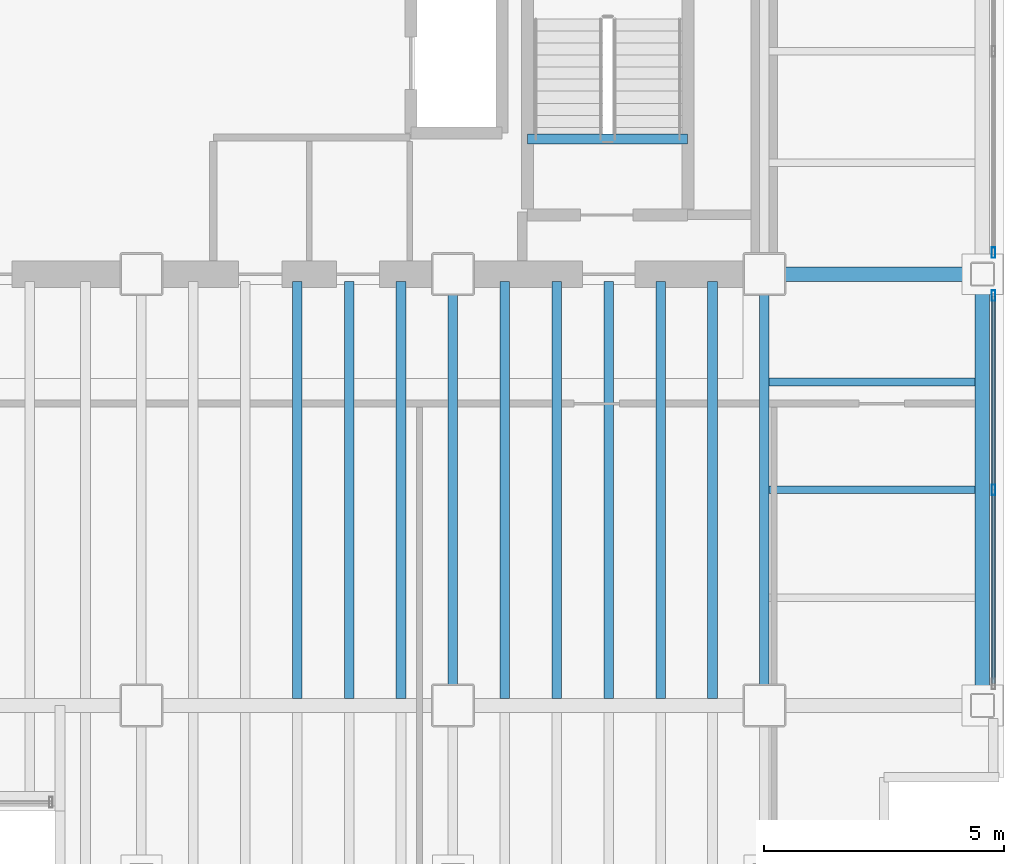
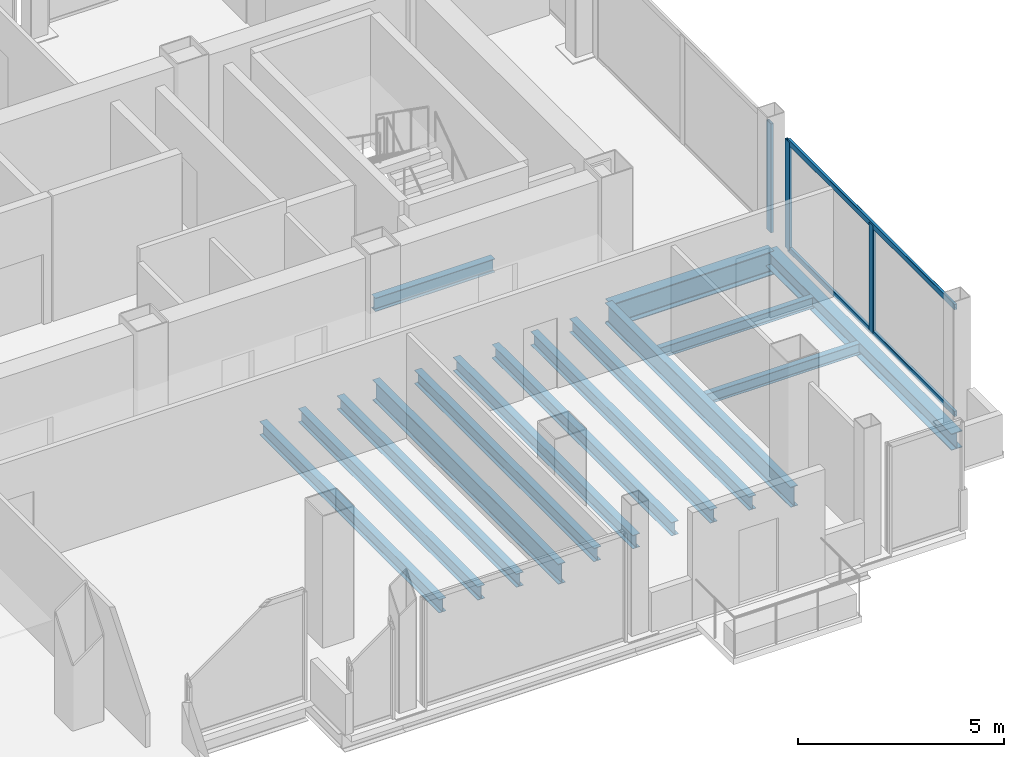
# One storey, part 12 of 19: 15 beams, 5 members, 2 elements without a shape of their own.
"""IFC4 building model written with IfcOpenShell, lengths in metres."""

import ifcopenshell
import ifcopenshell.guid

model = None  # the IFC model being written
_history = None  # IfcOwnerHistory: only IFC2X3 demands one
_inside = {}  # id of a spatial element -> (the spatial element, [elements in it])
_under = {}  # id of a project, library or spatial element -> (it, [spatial elements below it])
_declared = {}  # id of a project -> (the project, [libraries it declares])
_typed = {}  # id of a type object -> (the type object, [elements of that type])
_made_of = {}  # id of a material, layer set ... -> (it, [elements and type objects made of it])


def new_model(schema):
    """Start an empty IFC model of exactly this schema.

    Asked for "IFC4X3", IfcOpenShell would pick the latest addendum, in which some entities
    have other attributes; the version numbers below select the first issue.
    IFC2X3 requires an IfcOwnerHistory on every rooted entity: one is made here for all.
    """
    global model, _history
    if schema == "IFC4X3":
        model = ifcopenshell.file(schema_version=(4, 3, 0, 0))
    else:
        model = ifcopenshell.file(schema=schema)
    _inside.clear()
    _under.clear()
    _declared.clear()
    _typed.clear()
    _made_of.clear()
    _history = None
    if model.schema == "IFC2X3":
        org = make("IfcOrganization", Name="unknown")
        user = make(
            "IfcPersonAndOrganization",
            ThePerson=make("IfcPerson", FamilyName="unknown"),
            TheOrganization=org,
        )
        app = make(
            "IfcApplication",
            ApplicationDeveloper=org,
            Version="unknown",
            ApplicationFullName="unknown",
            ApplicationIdentifier="unknown",
        )
        _history = make(
            "IfcOwnerHistory",
            OwningUser=user,
            OwningApplication=app,
            ChangeAction="ADDED",
            CreationDate=0,
        )
    return model


def make(cls, **values):
    """One entity of the class cls with the attributes given. An attribute that is None is left unset."""
    return model.create_entity(
        cls, **{name: value for name, value in values.items() if value is not None}
    )


def rooted(cls, **values):
    """An entity with a GlobalId (a new one), such as an element, a storey or a relation."""
    return make(cls, GlobalId=ifcopenshell.guid.new(), OwnerHistory=_history, **values)


def si_unit(unit_type, name, prefix=None):
    """IfcSIUnit, for example si_unit("LENGTHUNIT", "METRE", prefix="MILLI")."""
    return make("IfcSIUnit", UnitType=unit_type, Prefix=prefix, Name=name)


def assignment(units):
    """IfcUnitAssignment: the units of a project."""
    return None if units is None else make("IfcUnitAssignment", Units=units)


def point(xyz):
    """IfcCartesianPoint."""
    return None if xyz is None else make("IfcCartesianPoint", Coordinates=xyz)


def direction(xyz):
    """IfcDirection."""
    return None if xyz is None else make("IfcDirection", DirectionRatios=xyz)


def frame(location, z_axis=None, x_axis=None):
    """IfcAxis2Placement3D, a coordinate frame: its origin and axes. An axis left out is left unset."""
    return make(
        "IfcAxis2Placement3D",
        Location=point(location),
        Axis=direction(z_axis),
        RefDirection=direction(x_axis),
    )


def frame_2d(location, x_axis=None):
    """IfcAxis2Placement2D, a coordinate frame in the plane: its origin and x axis."""
    return make(
        "IfcAxis2Placement2D", Location=point(location), RefDirection=direction(x_axis)
    )


def origin():
    """The frame at (0, 0, 0) with its axes left unset."""
    return frame((0.0, 0.0, 0.0))


def origin_2d():
    """The frame at (0, 0) in the plane with its x axis left unset."""
    return frame_2d((0.0, 0.0))


def place(relative_to, where):
    """IfcLocalPlacement: puts the frame where relative to a parent placement (None: the world)."""
    return make(
        "IfcLocalPlacement", PlacementRelTo=relative_to, RelativePlacement=where
    )


def context(
    kind, dimensions, precision=None, world=None, true_north=None, identifier=None
):
    """IfcGeometricRepresentationContext, for example the 3D "Model" context."""
    return make(
        "IfcGeometricRepresentationContext",
        ContextIdentifier=identifier,
        ContextType=kind,
        CoordinateSpaceDimension=dimensions,
        Precision=precision,
        WorldCoordinateSystem=world,
        TrueNorth=true_north,
    )


def subcontext(parent, identifier, kind, view, scale=None):
    """IfcGeometricRepresentationSubContext, for example "Body" below "Model"."""
    return make(
        "IfcGeometricRepresentationSubContext",
        ContextIdentifier=identifier,
        ContextType=kind,
        ParentContext=parent,
        TargetScale=scale,
        TargetView=view,
    )


def project(units=None, contexts=None):
    """IfcProject with its units and contexts."""
    return rooted(
        "IfcProject",
        Name="project",
        RepresentationContexts=contexts,
        UnitsInContext=assignment(units),
    )


def spatial(cls, under=None, at=None, **own):
    """A site, building, storey or space (cls), placed at a placement, below another one or the project."""
    s = rooted(cls, ObjectPlacement=at, **own)
    if under is not None:
        _under.setdefault(under.id(), (under, []))[1].append(s)
    return s


def profile(cls, at=None, kind="AREA", **sizes):
    """A parametric profile (cls). Its sizes go by their IFC names, for example OverallWidth=200.0."""
    return make(cls, ProfileType=kind, Position=at, **sizes)


def hollow_rectangle(**sizes):
    """IfcRectangleHollowProfileDef."""
    return profile("IfcRectangleHollowProfileDef", **sizes)


def i_section(**sizes):
    """IfcIShapeProfileDef."""
    return profile("IfcIShapeProfileDef", **sizes)


def extrude(swept, where, along, depth):
    """IfcExtrudedAreaSolid: the profile swept, set in the frame where, extruded along a direction by depth."""
    return make(
        "IfcExtrudedAreaSolid",
        SweptArea=swept,
        Position=where,
        ExtrudedDirection=direction(along),
        Depth=depth,
    )


def shape(context_of_items, identifier, shape_type, items):
    """IfcShapeRepresentation: the items that make up one representation, for example the "Body"."""
    return make(
        "IfcShapeRepresentation",
        ContextOfItems=context_of_items,
        RepresentationIdentifier=identifier,
        RepresentationType=shape_type,
        Items=items,
    )


def material(Name=None, Category=None):
    """IfcMaterial."""
    return make("IfcMaterial", Name=Name, Category=Category)


def material_profile(
    of_material, cross_section, Name=None, Category=None, Priority=None
):
    """IfcMaterialProfile: a cross section and its material."""
    return make(
        "IfcMaterialProfile",
        Name=Name,
        Material=of_material,
        Profile=cross_section,
        Priority=Priority,
        Category=Category,
    )


def profile_set(profiles, Name=None, composite=None):
    """IfcMaterialProfileSet."""
    return make(
        "IfcMaterialProfileSet",
        Name=Name,
        MaterialProfiles=profiles,
        CompositeProfile=composite,
    )


def made_of(thing, what):
    """Note that an element or type object is made of a material, layer set ...; save() writes the relation."""
    if what is not None:
        _made_of.setdefault(what.id(), (what, []))[1].append(thing)
    return thing


def type_object(cls, material=None, **own):
    """A type object (cls), such as IfcWallType, which elements share."""
    return made_of(rooted(cls, **own), material)


def element(
    cls,
    number,
    at=None,
    inside=None,
    cuts=None,
    type_object=None,
    material=None,
    context=None,
    identifier="Body",
    shape_type=None,
    held_by="IfcProductDefinitionShape",
    body=None,
    shapes=None,
    **own,
):
    """One element of the class cls, such as IfcWall. Its Tag is "e" and its number.

    at: its placement. inside: the storey or other place that contains it. cuts: it is an
    opening in that element (IfcRelVoidsElement). A single representation is given by context,
    identifier, shape_type and body (its items); several are given by shapes. held_by: the class
    of the entity that holds the representations. save() writes the other relations.
    """
    e = rooted(cls, Tag="e%d" % number, ObjectPlacement=at, **own)
    if body is not None:
        shapes = [shape(context, identifier, shape_type, body)]
    if shapes is not None:
        e.Representation = make(held_by, Representations=shapes)
    if inside is not None:
        _inside.setdefault(inside.id(), (inside, []))[1].append(e)
    if cuts is not None:
        rooted(
            "IfcRelVoidsElement", RelatingBuildingElement=cuts, RelatedOpeningElement=e
        )
    if type_object is not None:
        _typed.setdefault(type_object.id(), (type_object, []))[1].append(e)
    return made_of(e, material)


def aggregate(whole, parts):
    """IfcRelAggregates: a whole, such as a stair, and the parts it consists of."""
    return rooted("IfcRelAggregates", RelatingObject=whole, RelatedObjects=parts)


def save(model, path):
    """Write the relations noted so far, then the file.

    IfcRelAggregates (storeys below a building ...), IfcRelContainedInSpatialStructure (elements
    in a storey), IfcRelDefinesByType, IfcRelAssociatesMaterial and IfcRelDeclares: one each for
    every whole, place, type object, material and project.
    """
    for whole, parts in _under.values():
        aggregate(whole, parts)
    for where, things in _inside.values():
        rooted(
            "IfcRelContainedInSpatialStructure",
            RelatedElements=things,
            RelatingStructure=where,
        )
    for kind, things in _typed.values():
        rooted("IfcRelDefinesByType", RelatedObjects=things, RelatingType=kind)
    for what, things in _made_of.values():
        rooted("IfcRelAssociatesMaterial", RelatedObjects=things, RelatingMaterial=what)
    for by, libraries in _declared.values():
        rooted("IfcRelDeclares", RelatingContext=by, RelatedDefinitions=libraries)
    model.write(path)


model = new_model("IFC4")

# Units and contexts
model_context = context("Model", 3, precision=1e-05, world=origin(), true_north=direction((0.0, 1.0)))
body_context = subcontext(model_context, "Body", "Model", "MODEL_VIEW")
ifc_project = project(units=[si_unit("LENGTHUNIT", "METRE"), si_unit("AREAUNIT", "SQUARE_METRE"), si_unit("VOLUMEUNIT", "CUBIC_METRE"), si_unit("PLANEANGLEUNIT", "RADIAN"), si_unit("MASSUNIT", "GRAM", prefix="KILO")], contexts=[model_context])

# Site, building, storey
site_placement = place(None, origin())
site = spatial("IfcSite", under=ifc_project, at=site_placement, CompositionType="ELEMENT")
building_placement = place(site_placement, origin())
building = spatial("IfcBuilding", under=site, at=building_placement, Name="Noeulbin Bourse Tower", CompositionType="ELEMENT")
storey_placement = place(building_placement, frame((0.0, 0.0, 146.10009765625)))
storey = spatial("IfcBuildingStorey", under=building, at=storey_placement, Name="L36", CompositionType="ELEMENT", Elevation=146.10009765625)

# Beams
ifc_material_1 = material(Name="Steel S355", Category="steel")
ifc_material_profile_1 = material_profile(ifc_material_1, i_section(OverallWidth=0.199951171875, OverallDepth=0.60009765625, WebThickness=0.010986328125, FlangeThickness=0.01708984375, FilletRadius=0.02197265625, at=origin_2d()), Name="H-600x200x11x17", Category="LoadBearing")
ifc_profile_set_1 = profile_set([ifc_material_profile_1], Name="Steel S355")
beam_type_1 = type_object("IfcBeamType", Name="BM-GRD-600", PredefinedType="USERDEFINED", material=ifc_profile_set_1)
for number, where, z_axis, x_axis, name in (
    (1, (37.5, 20.0, -0.47998046875), (0.0, 1.0, 0.0), (-1.0, 0.0, 0.0), "Tower Primary Girder NS L36-4.2"),
    (2, (44.0, 20.0, -0.47998046875), (0.0, 1.0, 0.0), (-1.0, 0.0, 0.0), "Tower Primary Girder NS L36-5.2"),
):
    element("IfcBeam", number, at=place(storey_placement, frame(where, z_axis=z_axis, x_axis=x_axis)), inside=storey, type_object=beam_type_1, Name=name, ObjectType="GIRDER", PredefinedType="USERDEFINED", context=body_context, shape_type="SweptSolid", body=[
        extrude(i_section(OverallWidth=0.199951171875, OverallDepth=0.60009765625, WebThickness=0.010986328125, FlangeThickness=0.01708984375, FilletRadius=0.02197265625, at=origin_2d()), origin(), (0.0, 0.0, 1.0), 9.0),
    ])
ifc_material_profile_2 = material_profile(ifc_material_1, i_section(OverallWidth=0.300048828125, OverallDepth=0.699951171875, WebThickness=0.012939453125, FlangeThickness=0.02392578125, FilletRadius=0.02392578125, at=origin_2d()), Name="H-700x300x13x24", Category="LoadBearing")
ifc_profile_set_2 = profile_set([ifc_material_profile_2], Name="Steel S355")
beam_type_2 = type_object("IfcBeamType", Name="BM-GRD-700", PredefinedType="USERDEFINED", material=ifc_profile_set_2)
beam_1_placement = place(storey_placement, frame((44.0, 29.0, -0.530029296875), z_axis=(1.0, 0.0, 0.0), x_axis=(0.0, 1.0, 0.0)))
element("IfcBeam", 3, at=beam_1_placement, inside=storey, type_object=beam_type_2, Name="Tower Primary Girder EW L36-2.6", ObjectType="GIRDER", PredefinedType="USERDEFINED", context=body_context, shape_type="SweptSolid", body=[
    extrude(i_section(OverallWidth=0.300048828125, OverallDepth=0.699951171875, WebThickness=0.012939453125, FlangeThickness=0.02392578125, FilletRadius=0.02392578125, at=origin_2d()), origin(), (0.0, 0.0, 1.0), 4.550048828125),
])
ifc_material_profile_3 = material_profile(ifc_material_1, i_section(OverallWidth=0.159912109375, OverallDepth=0.320068359375, WebThickness=0.006591796875, FlangeThickness=0.010009765625, FilletRadius=0.012939453125, at=origin_2d()), Name="H-320x160x6.5x10", Category="LoadBearing")
ifc_profile_set_3 = profile_set([ifc_material_profile_3], Name="Steel S355")
beam_type_3 = type_object("IfcBeamType", Name="BM-JST-320", PredefinedType="JOIST", material=ifc_profile_set_3)
for number, where, z_axis, x_axis, name in (
    (4, (44.10009765625, 24.5, -0.340087890625), (1.0, 0.0, 0.0), (0.0, 1.0, 0.0), "Wing Composite Joist L36-E74"),
    (5, (44.10009765625, 26.75, -0.340087890625), (1.0, 0.0, 0.0), (0.0, 1.0, 0.0), "Wing Composite Joist L36-E75"),
):
    element("IfcBeam", number, at=place(storey_placement, frame(where, z_axis=z_axis, x_axis=x_axis)), inside=storey, type_object=beam_type_3, Name=name, PredefinedType="JOIST", context=body_context, shape_type="SweptSolid", body=[
        extrude(i_section(OverallWidth=0.159912109375, OverallDepth=0.320068359375, WebThickness=0.006591796875, FlangeThickness=0.010009765625, FilletRadius=0.012939453125, at=origin_2d()), origin(), (0.0, 0.0, 1.0), 4.2998046875),
    ])
ifc_material_profile_4 = material_profile(ifc_material_1, i_section(OverallWidth=0.199951171875, OverallDepth=0.39990234375, WebThickness=0.008056640625, FlangeThickness=0.012939453125, FilletRadius=0.01611328125, at=origin_2d()), Name="H-400x200x8x13", Category="LoadBearing")
ifc_profile_set_4 = profile_set([ifc_material_profile_4], Name="Steel S355")
beam_type_4 = type_object("IfcBeamType", Name="BM-SEC-400", PredefinedType="BEAM", material=ifc_profile_set_4)
for number, where, z_axis, x_axis, name in (
    (6, (34.25, 20.14990234375, -0.380126953125), (0.0, 1.0, 0.0), (-1.0, 0.0, 0.0), "Tower Composite Joist L36-47"),
    (7, (35.333251953125, 20.14990234375, -0.380126953125), (0.0, 1.0, 0.0), (-1.0, 0.0, 0.0), "Tower Composite Joist L36-50"),
    (8, (36.416748046875, 20.14990234375, -0.380126953125), (0.0, 1.0, 0.0), (-1.0, 0.0, 0.0), "Tower Composite Joist L36-53"),
    (9, (38.583251953125, 20.14990234375, -0.380126953125), (0.0, 1.0, 0.0), (-1.0, 0.0, 0.0), "Tower Composite Joist L36-56"),
    (10, (39.666748046875, 20.14990234375, -0.380126953125), (0.0, 1.0, 0.0), (-1.0, 0.0, 0.0), "Tower Composite Joist L36-59"),
    (11, (40.75, 20.14990234375, -0.380126953125), (0.0, 1.0, 0.0), (-1.0, 0.0, 0.0), "Tower Composite Joist L36-62"),
    (12, (41.833251953125, 20.14990234375, -0.380126953125), (0.0, 1.0, 0.0), (-1.0, 0.0, 0.0), "Tower Composite Joist L36-65"),
    (13, (42.916748046875, 20.14990234375, -0.380126953125), (0.0, 1.0, 0.0), (-1.0, 0.0, 0.0), "Tower Composite Joist L36-68"),
):
    element("IfcBeam", number, at=place(storey_placement, frame(where, z_axis=z_axis, x_axis=x_axis)), inside=storey, type_object=beam_type_4, Name=name, PredefinedType="BEAM", context=body_context, shape_type="SweptSolid", body=[
        extrude(i_section(OverallWidth=0.199951171875, OverallDepth=0.39990234375, WebThickness=0.008056640625, FlangeThickness=0.012939453125, FilletRadius=0.01611328125, at=origin_2d()), origin(), (0.0, 0.0, 1.0), 8.7001953125),
    ])
beam_2_placement = place(storey_placement, frame((39.06005859375, 31.820068359375, -0.2001953125), z_axis=(1.0, 0.0, 0.0), x_axis=(0.0, 1.0, 0.0)))
element("IfcBeam", 14, at=beam_2_placement, inside=storey, type_object=beam_type_4, Name="Stair Threshold Trimmer Beam ST2-L36", PredefinedType="BEAM", context=body_context, shape_type="SweptSolid", body=[
    extrude(i_section(OverallWidth=0.199951171875, OverallDepth=0.39990234375, WebThickness=0.008056640625, FlangeThickness=0.012939453125, FilletRadius=0.01611328125, at=origin_2d()), origin(), (0.0, 0.0, 1.0), 3.33984375),
])
ifc_material_profile_5 = material_profile(ifc_material_1, i_section(OverallWidth=0.300048828125, OverallDepth=0.488037109375, WebThickness=0.010986328125, FlangeThickness=0.01806640625, FilletRadius=0.02197265625, at=origin_2d()), Name="H-488x300x11x18", Category="LoadBearing")
ifc_profile_set_5 = profile_set([ifc_material_profile_5], Name="Steel S355")
beam_type_5 = type_object("IfcBeamType", Name="BM-SPN-488", PredefinedType="SPANDREL", material=ifc_profile_set_5)
beam_3_placement = place(storey_placement, frame((48.550048828125, 20.0, -0.424072265625), z_axis=(0.0, 1.0, 0.0), x_axis=(-1.0, 0.0, 0.0)))
element("IfcBeam", 15, at=beam_3_placement, inside=storey, type_object=beam_type_5, Name="East Spandrel L36-1", PredefinedType="SPANDREL", context=body_context, shape_type="SweptSolid", body=[
    extrude(i_section(OverallWidth=0.300048828125, OverallDepth=0.488037109375, WebThickness=0.010986328125, FlangeThickness=0.01806640625, FilletRadius=0.02197265625, at=origin_2d()), origin(), (0.0, 0.0, 1.0), 9.0),
])

# Curtain wall, members
ifc_material_2 = material(Name="Dark Tinted Triple Glazing", Category="glass")
curtain_wall_type = type_object("IfcCurtainWallType", Name="CW-SYS-3", PredefinedType="NOTDEFINED", material=ifc_material_2)
curtain_wall_1_placement = place(storey_placement, origin())
curtain_wall_1 = element("IfcCurtainWall", 16, at=curtain_wall_1_placement, inside=storey, type_object=curtain_wall_type, Name="Unitised Curtain Wall CW-L36-E-S1", PredefinedType="NOTDEFINED")
ifc_material_3 = material(Name="Anodised Aluminium 6063-T6", Category="aluminium")
ifc_material_profile_6 = material_profile(ifc_material_3, hollow_rectangle(XDim=0.074951171875, YDim=0.219970703125, WallThickness=0.0048828125, InnerFilletRadius=0.00244140625, OuterFilletRadius=0.0048828125, at=origin_2d()), Name="ALU-MULL-75x220x5", Category="LoadBearing")
ifc_profile_set_6 = profile_set([ifc_material_profile_6], Name="Anodised Aluminium 6063-T6")
member_type_1 = type_object("IfcMemberType", Name="CW-SYS-3-MUL", PredefinedType="MULLION", material=ifc_profile_set_6)
member_1_placement = place(storey_placement, frame((48.780029296875, 24.5, -0.02001953125), z_axis=(0.0, 0.0, 1.0), x_axis=(1.0, 0.0, 0.0)))
member_1 = element("IfcMember", 17, at=member_1_placement, type_object=member_type_1, Name="Curtain Wall Mullion CW-L36-E-S1-M01", PredefinedType="MULLION", context=body_context, shape_type="SweptSolid", body=[
    extrude(hollow_rectangle(XDim=0.074951171875, YDim=0.219970703125, WallThickness=0.0048828125, InnerFilletRadius=0.00244140625, OuterFilletRadius=0.0048828125, at=origin_2d()), origin(), (0.0, 0.0, 1.0), 3.219970703125),
])
member_2_placement = place(storey_placement, frame((48.780029296875, 28.550048828125, -0.02001953125), z_axis=(0.0, 0.0, 1.0), x_axis=(1.0, 0.0, 0.0)))
member_2 = element("IfcMember", 18, at=member_2_placement, type_object=member_type_1, Name="Curtain Wall Mullion CW-L36-E-S1-M02", PredefinedType="MULLION", context=body_context, shape_type="SweptSolid", body=[
    extrude(hollow_rectangle(XDim=0.074951171875, YDim=0.219970703125, WallThickness=0.0048828125, InnerFilletRadius=0.00244140625, OuterFilletRadius=0.0048828125, at=origin_2d()), origin(), (0.0, 0.0, 1.0), 3.219970703125),
])

# Curtain wall, member
curtain_wall_2_placement = place(storey_placement, origin())
curtain_wall_2 = element("IfcCurtainWall", 19, at=curtain_wall_2_placement, inside=storey, type_object=curtain_wall_type, Name="Unitised Curtain Wall CW-L36-E-S2", PredefinedType="NOTDEFINED")
member_3_placement = place(storey_placement, frame((48.780029296875, 29.449951171875, -0.02001953125), z_axis=(0.0, 0.0, 1.0), x_axis=(1.0, 0.0, 0.0)))
member_3 = element("IfcMember", 20, at=member_3_placement, type_object=member_type_1, Name="Curtain Wall Mullion CW-L36-E-S2-M00", PredefinedType="MULLION", context=body_context, shape_type="SweptSolid", body=[
    extrude(hollow_rectangle(XDim=0.074951171875, YDim=0.219970703125, WallThickness=0.0048828125, InnerFilletRadius=0.00244140625, OuterFilletRadius=0.0048828125, at=origin_2d()), origin(), (0.0, 0.0, 1.0), 3.219970703125),
])
aggregate(curtain_wall_2, [member_3])

# Member
ifc_material_profile_7 = material_profile(ifc_material_3, hollow_rectangle(XDim=0.074951171875, YDim=0.159912109375, WallThickness=0.0048828125, InnerFilletRadius=0.00244140625, OuterFilletRadius=0.0048828125, at=origin_2d()), Name="ALU-TRAN-75x160x5", Category="LoadBearing")
ifc_profile_set_7 = profile_set([ifc_material_profile_7], Name="Anodised Aluminium 6063-T6")
member_type_2 = type_object("IfcMemberType", Name="CW-SYS-3-TRN", PredefinedType="USERDEFINED", material=ifc_profile_set_7)
member_4_placement = place(storey_placement, frame((48.780029296875, 20.4599609375, 0.010009765625), z_axis=(0.0, 1.0, 0.0), x_axis=(-1.0, 0.0, 0.0)))
member_4 = element("IfcMember", 21, at=member_4_placement, type_object=member_type_2, Name="Curtain Wall Transom CW-L36-E-S1-T00", ObjectType="TRANSOM", PredefinedType="USERDEFINED", context=body_context, shape_type="SweptSolid", body=[
    extrude(hollow_rectangle(XDim=0.074951171875, YDim=0.159912109375, WallThickness=0.0048828125, InnerFilletRadius=0.00244140625, OuterFilletRadius=0.0048828125, at=origin_2d()), origin(), (0.0, 0.0, 1.0), 8.080078125),
])

member_5_placement = place(storey_placement, frame((48.780029296875, 20.4599609375, 3.169921875), z_axis=(0.0, 1.0, 0.0), x_axis=(-1.0, 0.0, 0.0)))
member_5 = element("IfcMember", 22, at=member_5_placement, type_object=member_type_2, Name="Curtain Wall Transom CW-L36-E-S1-T01", ObjectType="TRANSOM", PredefinedType="USERDEFINED", context=body_context, shape_type="SweptSolid", body=[
    extrude(hollow_rectangle(XDim=0.074951171875, YDim=0.159912109375, WallThickness=0.0048828125, InnerFilletRadius=0.00244140625, OuterFilletRadius=0.0048828125, at=origin_2d()), origin(), (0.0, 0.0, 1.0), 8.080078125),
])

aggregate(curtain_wall_1, [member_1, member_2, member_4, member_5])

save(model, "model.ifc")
